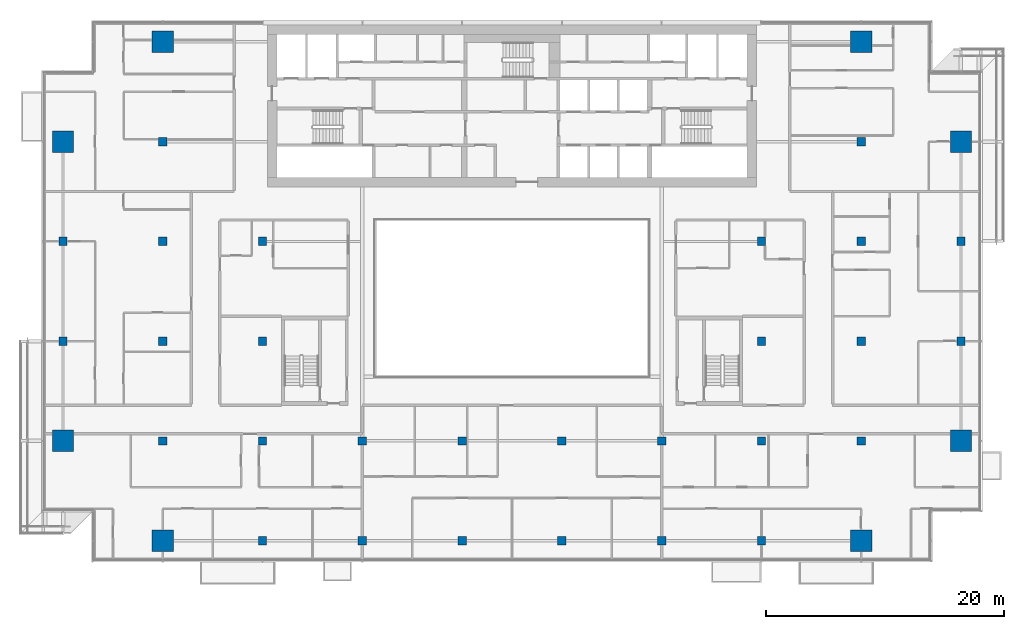
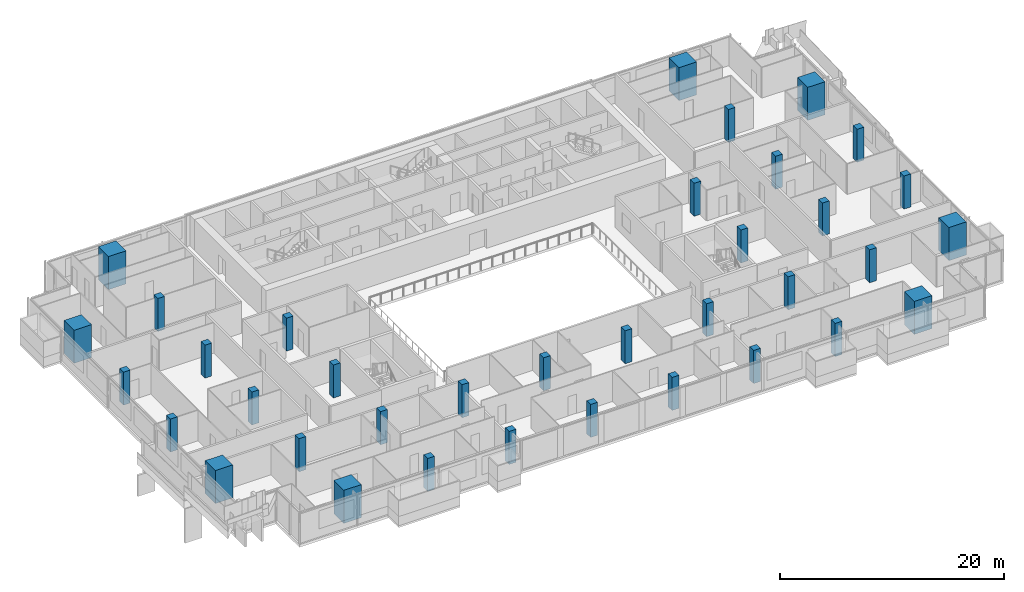
# One storey, part 1 of 30: 36 columns.
"""IFC4 building model written with IfcOpenShell, lengths in metres."""

from ifc_helpers import new_model, si_unit, direction, frame, origin, origin_2d, place, context, subcontext, project, spatial, rectangle, extrude, material, material_profile, profile_set, type_object, element, save


model = new_model("IFC4")

# Units and contexts
model_context = context("Model", 3, precision=1e-05, world=origin(), true_north=direction((0.0, 1.0)))
body_context = subcontext(model_context, "Body", "Model", "MODEL_VIEW")
ifc_project = project(units=[si_unit("LENGTHUNIT", "METRE"), si_unit("AREAUNIT", "SQUARE_METRE"), si_unit("VOLUMEUNIT", "CUBIC_METRE"), si_unit("PLANEANGLEUNIT", "RADIAN"), si_unit("MASSUNIT", "GRAM", prefix="KILO")], contexts=[model_context])

# Site, building, storey
site_placement = place(None, origin())
site = spatial("IfcSite", under=ifc_project, at=site_placement, CompositionType="ELEMENT")
building_placement = place(site_placement, origin())
building = spatial("IfcBuilding", under=site, at=building_placement, Name="Saffron Gate Tower", CompositionType="ELEMENT")
storey_placement = place(building_placement, frame((0.0, 0.0, 165.449951171875)))
storey = spatial("IfcBuildingStorey", under=building, at=storey_placement, Name="L40", CompositionType="ELEMENT", Elevation=165.449951171875)

# Columns
ifc_material_1 = material(Name="Concrete C50", Category="concrete")
ifc_material_profile_1 = material_profile(ifc_material_1, rectangle(XDim=0.699951171875, YDim=0.699951171875, at=origin_2d()))
ifc_profile_set_1 = profile_set([ifc_material_profile_1], Name="Concrete C50")
column_type_1 = type_object("IfcColumnType", Name="C3 RC 700x700 CONCRETE C50", PredefinedType="COLUMN", material=ifc_profile_set_1)
for number, where, z_axis, x_axis, name in (
    (1, (49.800048828125, 48.60009765625, 0.0), (0.0, 0.0, 1.0), (1.0, 0.0, 0.0), "C3 COLUMN X1-C"),
    (2, (49.800048828125, 57.0, 0.0), (0.0, 0.0, 1.0), (1.0, 0.0, 0.0), "C3 COLUMN X1-D"),
    (3, (58.199951171875, 40.199951171875, 0.0), (0.0, 0.0, 1.0), (1.0, 0.0, 0.0), "C3 COLUMN X2-B"),
    (4, (58.199951171875, 48.60009765625, 0.0), (0.0, 0.0, 1.0), (1.0, 0.0, 0.0), "C3 COLUMN X2-C"),
    (5, (58.199951171875, 57.0, 0.0), (0.0, 0.0, 1.0), (1.0, 0.0, 0.0), "C3 COLUMN X2-D"),
    (6, (58.199951171875, 65.39990234375, 0.0), (0.0, 0.0, 1.0), (1.0, 0.0, 0.0), "C3 COLUMN X2-E"),
    (7, (66.60009765625, 31.800048828125, 0.0), (0.0, 0.0, 1.0), (1.0, 0.0, 0.0), "C3 COLUMN X3-A"),
    (8, (66.60009765625, 40.199951171875, 0.0), (0.0, 0.0, 1.0), (1.0, 0.0, 0.0), "C3 COLUMN X3-B"),
    (9, (66.60009765625, 48.60009765625, 0.0), (0.0, 0.0, 1.0), (1.0, 0.0, 0.0), "C3 COLUMN X3-C"),
    (10, (66.60009765625, 57.0, 0.0), (0.0, 0.0, 1.0), (1.0, 0.0, 0.0), "C3 COLUMN X3-D"),
    (11, (75.0, 31.800048828125, 0.0), (0.0, 0.0, 1.0), (1.0, 0.0, 0.0), "C3 COLUMN X4-A"),
    (12, (75.0, 40.199951171875, 0.0), (0.0, 0.0, 1.0), (1.0, 0.0, 0.0), "C3 COLUMN X4-B"),
    (13, (83.39990234375, 31.800048828125, 0.0), (0.0, 0.0, 1.0), (1.0, 0.0, 0.0), "C3 COLUMN X5-A"),
    (14, (83.39990234375, 40.199951171875, 0.0), (0.0, 0.0, 1.0), (1.0, 0.0, 0.0), "C3 COLUMN X5-B"),
    (15, (91.800048828125, 31.800048828125, 0.0), (0.0, 0.0, 1.0), (1.0, 0.0, 0.0), "C3 COLUMN X6-A"),
    (16, (91.800048828125, 40.199951171875, 0.0), (0.0, 0.0, 1.0), (1.0, 0.0, 0.0), "C3 COLUMN X6-B"),
    (17, (100.199951171875, 31.800048828125, 0.0), (0.0, 0.0, 1.0), (1.0, 0.0, 0.0), "C3 COLUMN X7-A"),
    (18, (100.199951171875, 40.199951171875, 0.0), (0.0, 0.0, 1.0), (1.0, 0.0, 0.0), "C3 COLUMN X7-B"),
    (19, (108.60009765625, 31.800048828125, 0.0), (0.0, 0.0, 1.0), (1.0, 0.0, 0.0), "C3 COLUMN X8-A"),
    (20, (108.60009765625, 40.199951171875, 0.0), (0.0, 0.0, 1.0), (1.0, 0.0, 0.0), "C3 COLUMN X8-B"),
    (21, (108.60009765625, 48.60009765625, 0.0), (0.0, 0.0, 1.0), (1.0, 0.0, 0.0), "C3 COLUMN X8-C"),
    (22, (108.60009765625, 57.0, 0.0), (0.0, 0.0, 1.0), (1.0, 0.0, 0.0), "C3 COLUMN X8-D"),
    (23, (117.0, 40.199951171875, 0.0), (0.0, 0.0, 1.0), (1.0, 0.0, 0.0), "C3 COLUMN X9-B"),
    (24, (117.0, 48.60009765625, 0.0), (0.0, 0.0, 1.0), (1.0, 0.0, 0.0), "C3 COLUMN X9-C"),
    (25, (117.0, 57.0, 0.0), (0.0, 0.0, 1.0), (1.0, 0.0, 0.0), "C3 COLUMN X9-D"),
    (26, (117.0, 65.39990234375, 0.0), (0.0, 0.0, 1.0), (1.0, 0.0, 0.0), "C3 COLUMN X9-E"),
    (27, (125.39990234375, 48.60009765625, 0.0), (0.0, 0.0, 1.0), (1.0, 0.0, 0.0), "C3 COLUMN X10-C"),
    (28, (125.39990234375, 57.0, 0.0), (0.0, 0.0, 1.0), (1.0, 0.0, 0.0), "C3 COLUMN X10-D"),
):
    element("IfcColumn", number, at=place(storey_placement, frame(where, z_axis=z_axis, x_axis=x_axis)), inside=storey, type_object=column_type_1, Name=name, PredefinedType="COLUMN", context=body_context, shape_type="SweptSolid", body=[
        extrude(rectangle(XDim=0.699951171875, YDim=0.699951171875, at=origin_2d()), origin(), (0.0, 0.0, 1.0), 3.60009765625),
    ])
ifc_material_2 = material(Name="Concrete C70", Category="concrete")
ifc_material_profile_2 = material_profile(ifc_material_2, rectangle(XDim=1.800048828125, YDim=1.800048828125, at=origin_2d()))
ifc_profile_set_2 = profile_set([ifc_material_profile_2], Name="Concrete C70")
column_type_2 = type_object("IfcColumnType", Name="MC2 RC 1800x1800 CONCRETE C70", PredefinedType="COLUMN", material=ifc_profile_set_2)
for number, where, z_axis, x_axis, name in (
    (29, (49.800048828125, 40.199951171875, 0.0), (0.0, 0.0, 1.0), (1.0, 0.0, 0.0), "MC2 MEGA COLUMN X1-B"),
    (30, (49.800048828125, 65.39990234375, 0.0), (0.0, 0.0, 1.0), (1.0, 0.0, 0.0), "MC2 MEGA COLUMN X1-E"),
    (31, (58.199951171875, 31.800048828125, 0.0), (0.0, 0.0, 1.0), (1.0, 0.0, 0.0), "MC2 MEGA COLUMN X2-A"),
    (32, (58.199951171875, 73.800048828125, 0.0), (0.0, 0.0, 1.0), (1.0, 0.0, 0.0), "MC2 MEGA COLUMN X2-F"),
    (33, (117.0, 31.800048828125, 0.0), (0.0, 0.0, 1.0), (1.0, 0.0, 0.0), "MC2 MEGA COLUMN X9-A"),
    (34, (117.0, 73.800048828125, 0.0), (0.0, 0.0, 1.0), (1.0, 0.0, 0.0), "MC2 MEGA COLUMN X9-F"),
    (35, (125.39990234375, 40.199951171875, 0.0), (0.0, 0.0, 1.0), (1.0, 0.0, 0.0), "MC2 MEGA COLUMN X10-B"),
    (36, (125.39990234375, 65.39990234375, 0.0), (0.0, 0.0, 1.0), (1.0, 0.0, 0.0), "MC2 MEGA COLUMN X10-E"),
):
    element("IfcColumn", number, at=place(storey_placement, frame(where, z_axis=z_axis, x_axis=x_axis)), inside=storey, type_object=column_type_2, Name=name, PredefinedType="COLUMN", context=body_context, shape_type="SweptSolid", body=[
        extrude(rectangle(XDim=1.800048828125, YDim=1.800048828125, at=origin_2d()), origin(), (0.0, 0.0, 1.0), 3.60009765625),
    ])

save(model, "model.ifc")
